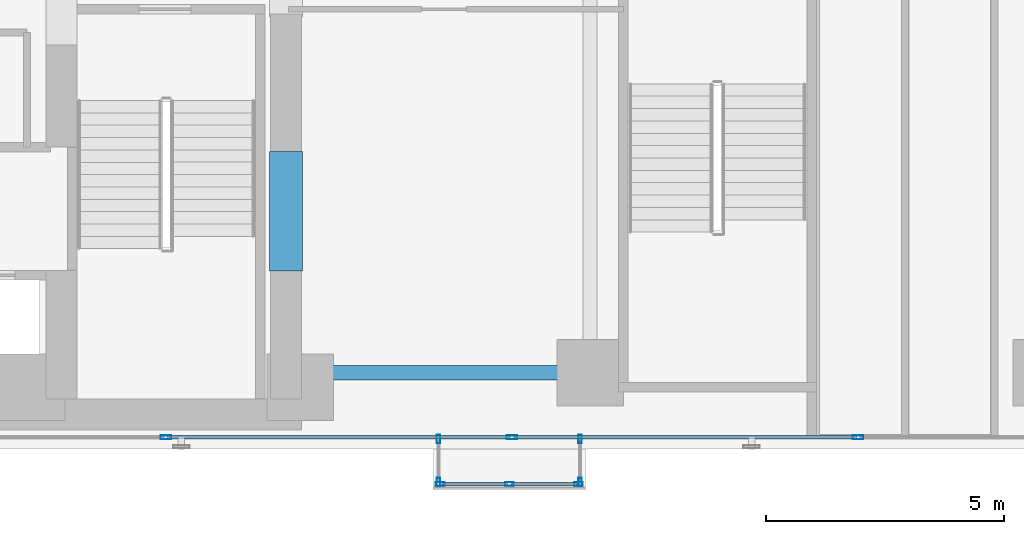
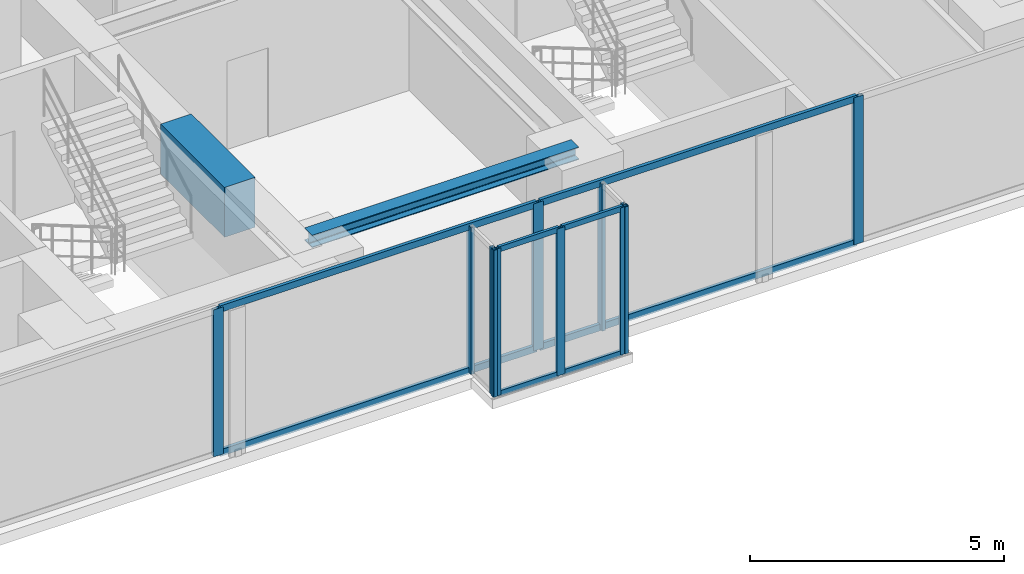
# One storey, part 4 of 26: 18 members, 2 beams, 4 elements without a shape of their own.
"""IFC4 building model written with IfcOpenShell, lengths in metres."""

from ifc_helpers import new_model, si_unit, direction, frame, origin, origin_with_axes, origin_2d, place, context, subcontext, project, spatial, rectangle, hollow_rectangle, i_section, extrude, source, transform, mapped, material, layer, layer_set, material_profile, profile_set, type_object, element, aggregate, save


model = new_model("IFC4")

# Units and contexts
model_context = context("Model", 3, precision=1e-05, world=origin(), true_north=direction((0.0, 1.0)))
body_context = subcontext(model_context, "Body", "Model", "MODEL_VIEW")
ifc_project = project(units=[si_unit("LENGTHUNIT", "METRE"), si_unit("AREAUNIT", "SQUARE_METRE"), si_unit("VOLUMEUNIT", "CUBIC_METRE"), si_unit("PLANEANGLEUNIT", "RADIAN"), si_unit("MASSUNIT", "GRAM", prefix="KILO")], contexts=[model_context])

# Site, building, storey
site_placement = place(None, origin())
site = spatial("IfcSite", under=ifc_project, at=site_placement, CompositionType="ELEMENT")
building_placement = place(site_placement, origin())
building = spatial("IfcBuilding", under=site, at=building_placement, Name="Kolvaren Waterfront Exchange", CompositionType="ELEMENT")
storey_placement = place(building_placement, frame((0.0, 0.0, 122.10009765625)))
storey = spatial("IfcBuildingStorey", under=building, at=storey_placement, Name="L31", CompositionType="ELEMENT", Elevation=122.10009765625)

# Beams
ifc_material_1 = material(Name="Steel S355", Category="steel")
ifc_material_profile_1 = material_profile(ifc_material_1, i_section(OverallWidth=0.300048828125, OverallDepth=0.300048828125, WebThickness=0.010986328125, FlangeThickness=0.01904296875, FilletRadius=0.027099609375, at=origin_2d()), Name="HEB300")
ifc_profile_set_1 = profile_set([ifc_material_profile_1], Name="Steel S355")
beam_type_1 = type_object("IfcBeamType", Name="STR-BM-HEB300", PredefinedType="SPANDREL", material=ifc_profile_set_1)
beam_1_placement = place(storey_placement, frame((21.125, 5.199951171875, 3.389892578125), z_axis=(1.0, 0.0, 0.0), x_axis=(0.0, 1.0, 0.0)))
element("IfcBeam", 1, at=beam_1_placement, inside=storey, type_object=beam_type_1, Name="L31 east-arm spandrel S1", PredefinedType="SPANDREL", context=body_context, shape_type="SweptSolid", body=[
    extrude(i_section(OverallWidth=0.300048828125, OverallDepth=0.300048828125, WebThickness=0.010986328125, FlangeThickness=0.01904296875, FilletRadius=0.027099609375, at=origin_2d()), origin(), (0.0, 0.0, 1.0), 6.074951171875),
])
ifc_material_2 = material(Name="Concrete C70/85", Category="concrete")
ifc_material_profile_2 = material_profile(ifc_material_2, rectangle(XDim=0.699951171875, YDim=1.199951171875, at=origin_2d()), Name="RC-CB-1200x700")
ifc_profile_set_2 = profile_set([ifc_material_profile_2], Name="Concrete C70/85")
beam_type_2 = type_object("IfcBeamType", Name="STR-CB-1200", PredefinedType="SPANDREL", material=ifc_profile_set_2)
beam_2_placement = place(storey_placement, frame((20.800048828125, 7.340087890625, 2.93994140625), z_axis=(0.0, 1.0, 0.0), x_axis=(-1.0, 0.0, 0.0)))
element("IfcBeam", 2, at=beam_2_placement, inside=storey, type_object=beam_type_2, Name="L31 core coupling beam 1", PredefinedType="SPANDREL", context=body_context, shape_type="SweptSolid", body=[
    extrude(rectangle(XDim=0.699951171875, YDim=1.199951171875, at=origin_2d()), origin(), (0.0, 0.0, 1.0), 2.52001953125),
])

# Curtain wall, members
ifc_material_3 = material(Name="Anodised bronze aluminium 6063-T6", Category="aluminium")
ifc_layer_1 = layer(ifc_material_3, 0.219970703125, Name="Anodised bronze aluminium 6063-T6")
ifc_layer_set_1 = layer_set([ifc_layer_1], Name="Anodised bronze aluminium 6063-T6")
curtain_wall_type_1 = type_object("IfcCurtainWallType", Name="ARC-CW-SYS1", PredefinedType="USERDEFINED", material=ifc_layer_set_1)
curtain_wall_1_placement = place(storey_placement, origin())
curtain_wall_1 = element("IfcCurtainWall", 3, at=curtain_wall_1_placement, inside=storey, type_object=curtain_wall_type_1, Name="L31 stick curtain wall CW1 (CW-L31-S)", ObjectType="STICK CURTAIN WALL", PredefinedType="USERDEFINED")
ifc_material_4 = material(Name="Anodised aluminium 6063-T6", Category="aluminium")
ifc_material_profile_3 = material_profile(ifc_material_4, hollow_rectangle(XDim=0.080078125, YDim=0.219970703125, WallThickness=0.0048828125, at=origin_2d()), Name="ALU-MUL-220x80x5")
ifc_profile_set_3 = profile_set([ifc_material_profile_3], Name="Anodised aluminium 6063-T6")
member_type_1 = type_object("IfcMemberType", Name="ARC-CWM-220", PredefinedType="MULLION", material=ifc_profile_set_3)
shared_shape_1 = source(origin_with_axes(), body_context, "Body", "SweptSolid", [
    extrude(hollow_rectangle(XDim=0.080078125, YDim=0.219970703125, WallThickness=0.0048828125, at=origin_2d()), origin(), (0.0, 0.0, 1.0), 3.539794921875),
])
member_1_placement = place(storey_placement, frame((18.271484375, 3.840087890625, 0.0), z_axis=(0.0, 0.0, 1.0), x_axis=(0.0, 1.0, 0.0)))
member_1 = element("IfcMember", 4, at=member_1_placement, type_object=member_type_1, Name="CW1 mullion 3", PredefinedType="MULLION", context=body_context, shape_type="MappedRepresentation", body=[
    mapped(shared_shape_1, transform((0.0, 0.0, 0.0), x_axis=(1.0, 0.0, 0.0), y_axis=(0.0, 1.0, 0.0), z_axis=(0.0, 0.0, 1.0), scale=1.0)),
])
member_2_placement = place(storey_placement, frame((25.55712890625, 3.840087890625, 0.0), z_axis=(0.0, 0.0, 1.0), x_axis=(0.0, 1.0, 0.0)))
member_2 = element("IfcMember", 5, at=member_2_placement, type_object=member_type_1, Name="CW1 mullion 4", PredefinedType="MULLION", context=body_context, shape_type="MappedRepresentation", body=[
    mapped(shared_shape_1, transform((0.0, 0.0, 0.0), x_axis=(1.0, 0.0, 0.0), y_axis=(0.0, 1.0, 0.0), z_axis=(0.0, 0.0, 1.0), scale=1.0)),
])
member_3_placement = place(storey_placement, frame((32.8427734375, 3.840087890625, 0.0), z_axis=(0.0, 0.0, 1.0), x_axis=(0.0, 1.0, 0.0)))
member_3 = element("IfcMember", 6, at=member_3_placement, type_object=member_type_1, Name="CW1 mullion 5", PredefinedType="MULLION", context=body_context, shape_type="MappedRepresentation", body=[
    mapped(shared_shape_1, transform((0.0, 0.0, 0.0), x_axis=(1.0, 0.0, 0.0), y_axis=(0.0, 1.0, 0.0), z_axis=(0.0, 0.0, 1.0), scale=1.0)),
])

ifc_layer_2 = layer(ifc_material_3, 0.219970703125, Name="Anodised bronze aluminium 6063-T6")
ifc_layer_set_2 = layer_set([ifc_layer_2], Name="Anodised bronze aluminium 6063-T6")
curtain_wall_type_2 = type_object("IfcCurtainWallType", Name="ARC-CW-SYS3", PredefinedType="USERDEFINED", material=ifc_layer_set_2)
curtain_wall_2_placement = place(storey_placement, origin())
curtain_wall_2 = element("IfcCurtainWall", 7, at=curtain_wall_2_placement, inside=storey, type_object=curtain_wall_type_2, Name="L31 stick curtain wall CW3 (CW-L31-BOX)", ObjectType="STICK CURTAIN WALL", PredefinedType="USERDEFINED")
ifc_material_profile_4 = material_profile(ifc_material_3, hollow_rectangle(XDim=0.06494140625, YDim=0.1298828125, WallThickness=0.00390625, at=origin_2d()), Name="ALU-TRN-130x65x4")
ifc_profile_set_4 = profile_set([ifc_material_profile_4], Name="Anodised bronze aluminium 6063-T6")
member_type_2 = type_object("IfcMemberType", Name="ARC-CWT-130", PredefinedType="USERDEFINED", material=ifc_profile_set_4)
shared_shape_2 = source(origin_with_axes(), body_context, "Body", "SweptSolid", [
    extrude(hollow_rectangle(XDim=0.06494140625, YDim=0.1298828125, WallThickness=0.00390625, at=origin_2d()), origin(), (0.0, 0.0, 1.0), 1.37744140625),
])
member_4_placement = place(storey_placement, frame((24.0849609375, 2.860107421875, 0.032470703125), z_axis=(1.0, 0.0, 0.0), x_axis=(0.0, 1.0, 0.0)))
member_4 = element("IfcMember", 8, at=member_4_placement, type_object=member_type_2, Name="CW3 transom 1.1", ObjectType="TRANSOM", PredefinedType="USERDEFINED", context=body_context, shape_type="MappedRepresentation", body=[
    mapped(shared_shape_2, transform((0.0, 0.0, 0.0), x_axis=(1.0, 0.0, 0.0), y_axis=(0.0, 1.0, 0.0), z_axis=(0.0, 0.0, 1.0), scale=1.0)),
])
member_5_placement = place(storey_placement, frame((24.0849609375, 2.860107421875, 3.50732421875), z_axis=(1.0, 0.0, 0.0), x_axis=(0.0, 1.0, 0.0)))
member_5 = element("IfcMember", 9, at=member_5_placement, type_object=member_type_2, Name="CW3 transom 1.2", ObjectType="TRANSOM", PredefinedType="USERDEFINED", context=body_context, shape_type="MappedRepresentation", body=[
    mapped(shared_shape_2, transform((0.0, 0.0, 0.0), x_axis=(1.0, 0.0, 0.0), y_axis=(0.0, 1.0, 0.0), z_axis=(0.0, 0.0, 1.0), scale=1.0)),
])
member_6_placement = place(storey_placement, frame((25.53759765625, 2.860107421875, 0.032470703125), z_axis=(1.0, 0.0, 0.0), x_axis=(0.0, 1.0, 0.0)))
member_6 = element("IfcMember", 10, at=member_6_placement, type_object=member_type_2, Name="CW3 transom 2.1", ObjectType="TRANSOM", PredefinedType="USERDEFINED", context=body_context, shape_type="MappedRepresentation", body=[
    mapped(shared_shape_2, transform((0.0, 0.0, 0.0), x_axis=(1.0, 0.0, 0.0), y_axis=(0.0, 1.0, 0.0), z_axis=(0.0, 0.0, 1.0), scale=1.0)),
])
member_7_placement = place(storey_placement, frame((25.53759765625, 2.860107421875, 3.50732421875), z_axis=(1.0, 0.0, 0.0), x_axis=(0.0, 1.0, 0.0)))
member_7 = element("IfcMember", 11, at=member_7_placement, type_object=member_type_2, Name="CW3 transom 2.2", ObjectType="TRANSOM", PredefinedType="USERDEFINED", context=body_context, shape_type="MappedRepresentation", body=[
    mapped(shared_shape_2, transform((0.0, 0.0, 0.0), x_axis=(1.0, 0.0, 0.0), y_axis=(0.0, 1.0, 0.0), z_axis=(0.0, 0.0, 1.0), scale=1.0)),
])

curtain_wall_3_placement = place(storey_placement, origin())
curtain_wall_3 = element("IfcCurtainWall", 12, at=curtain_wall_3_placement, inside=storey, type_object=curtain_wall_type_2, Name="L31 stick curtain wall CW3 (CW-L31-BOX-W)", ObjectType="STICK CURTAIN WALL", PredefinedType="USERDEFINED")
ifc_material_profile_5 = material_profile(ifc_material_3, hollow_rectangle(XDim=0.074951171875, YDim=0.179931640625, WallThickness=0.00439453125, at=origin_2d()), Name="ALU-MUL-180x75x4.5")
ifc_profile_set_5 = profile_set([ifc_material_profile_5], Name="Anodised bronze aluminium 6063-T6")
member_type_3 = type_object("IfcMemberType", Name="ARC-CWM-180", PredefinedType="MULLION", material=ifc_profile_set_5)
shared_shape_3 = source(origin_with_axes(), body_context, "Body", "SweptSolid", [
    extrude(hollow_rectangle(XDim=0.074951171875, YDim=0.179931640625, WallThickness=0.00439453125, at=origin_2d()), origin(), (0.0, 0.0, 1.0), 3.539794921875),
])
member_8_placement = place(storey_placement, frame((24.010009765625, 3.802490234375, 0.0), z_axis=(0.0, 0.0, 1.0), x_axis=(1.0, 0.0, 0.0)))
member_8 = element("IfcMember", 13, at=member_8_placement, type_object=member_type_3, Name="CW3 mullion 1", PredefinedType="MULLION", context=body_context, shape_type="MappedRepresentation", body=[
    mapped(shared_shape_3, transform((0.0, 0.0, 0.0), x_axis=(1.0, 0.0, 0.0), y_axis=(0.0, 1.0, 0.0), z_axis=(0.0, 0.0, 1.0), scale=1.0)),
])
member_9_placement = place(storey_placement, frame((24.010009765625, 2.8974609375, 0.0), z_axis=(0.0, 0.0, 1.0), x_axis=(1.0, 0.0, 0.0)))
member_9 = element("IfcMember", 14, at=member_9_placement, type_object=member_type_3, Name="CW3 mullion 2", PredefinedType="MULLION", context=body_context, shape_type="MappedRepresentation", body=[
    mapped(shared_shape_3, transform((0.0, 0.0, 0.0), x_axis=(1.0, 0.0, 0.0), y_axis=(0.0, 1.0, 0.0), z_axis=(0.0, 0.0, 1.0), scale=1.0)),
])
aggregate(curtain_wall_3, [member_8, member_9])

# Member
member_10_placement = place(storey_placement, frame((24.047607421875, 2.860107421875, 0.0), z_axis=(0.0, 0.0, 1.0), x_axis=(0.0, 1.0, 0.0)))
member_10 = element("IfcMember", 15, at=member_10_placement, type_object=member_type_3, Name="CW3 mullion 1", PredefinedType="MULLION", context=body_context, shape_type="MappedRepresentation", body=[
    mapped(shared_shape_3, transform((0.0, 0.0, 0.0), x_axis=(1.0, 0.0, 0.0), y_axis=(0.0, 1.0, 0.0), z_axis=(0.0, 0.0, 1.0), scale=1.0)),
])

member_11_placement = place(storey_placement, frame((25.5, 2.860107421875, 0.0), z_axis=(0.0, 0.0, 1.0), x_axis=(0.0, 1.0, 0.0)))
member_11 = element("IfcMember", 16, at=member_11_placement, type_object=member_type_3, Name="CW3 mullion 2", PredefinedType="MULLION", context=body_context, shape_type="MappedRepresentation", body=[
    mapped(shared_shape_3, transform((0.0, 0.0, 0.0), x_axis=(1.0, 0.0, 0.0), y_axis=(0.0, 1.0, 0.0), z_axis=(0.0, 0.0, 1.0), scale=1.0)),
])

member_12_placement = place(storey_placement, frame((26.952392578125, 2.860107421875, 0.0), z_axis=(0.0, 0.0, 1.0), x_axis=(0.0, 1.0, 0.0)))
member_12 = element("IfcMember", 17, at=member_12_placement, type_object=member_type_3, Name="CW3 mullion 3", PredefinedType="MULLION", context=body_context, shape_type="MappedRepresentation", body=[
    mapped(shared_shape_3, transform((0.0, 0.0, 0.0), x_axis=(1.0, 0.0, 0.0), y_axis=(0.0, 1.0, 0.0), z_axis=(0.0, 0.0, 1.0), scale=1.0)),
])

aggregate(curtain_wall_2, [member_10, member_11, member_12, member_4, member_5, member_6, member_7])

# Curtain wall, members
curtain_wall_4_placement = place(storey_placement, origin())
curtain_wall_4 = element("IfcCurtainWall", 18, at=curtain_wall_4_placement, inside=storey, type_object=curtain_wall_type_2, Name="L31 stick curtain wall CW3 (CW-L31-BOX-E)", ObjectType="STICK CURTAIN WALL", PredefinedType="USERDEFINED")
member_13_placement = place(storey_placement, frame((26.989990234375, 2.8974609375, 0.0), z_axis=(0.0, 0.0, 1.0), x_axis=(-1.0, 0.0, 0.0)))
member_13 = element("IfcMember", 19, at=member_13_placement, type_object=member_type_3, Name="CW3 mullion 1", PredefinedType="MULLION", context=body_context, shape_type="MappedRepresentation", body=[
    mapped(shared_shape_3, transform((0.0, 0.0, 0.0), x_axis=(1.0, 0.0, 0.0), y_axis=(0.0, 1.0, 0.0), z_axis=(0.0, 0.0, 1.0), scale=1.0)),
])
member_14_placement = place(storey_placement, frame((26.989990234375, 3.802490234375, 0.0), z_axis=(0.0, 0.0, 1.0), x_axis=(-1.0, 0.0, 0.0)))
member_14 = element("IfcMember", 20, at=member_14_placement, type_object=member_type_3, Name="CW3 mullion 2", PredefinedType="MULLION", context=body_context, shape_type="MappedRepresentation", body=[
    mapped(shared_shape_3, transform((0.0, 0.0, 0.0), x_axis=(1.0, 0.0, 0.0), y_axis=(0.0, 1.0, 0.0), z_axis=(0.0, 0.0, 1.0), scale=1.0)),
])
aggregate(curtain_wall_4, [member_13, member_14])

# Member
ifc_material_profile_6 = material_profile(ifc_material_4, hollow_rectangle(XDim=0.074951171875, YDim=0.159912109375, WallThickness=0.00439453125, at=origin_2d()), Name="ALU-TRN-160x75x4.5")
ifc_profile_set_6 = profile_set([ifc_material_profile_6], Name="Anodised aluminium 6063-T6")
member_type_4 = type_object("IfcMemberType", Name="ARC-CWT-160", PredefinedType="USERDEFINED", material=ifc_profile_set_6)
shared_shape_4 = source(origin_with_axes(), body_context, "Body", "SweptSolid", [
    extrude(hollow_rectangle(XDim=0.074951171875, YDim=0.159912109375, WallThickness=0.00439453125, at=origin_2d()), origin(), (0.0, 0.0, 1.0), 7.205810546875),
])
member_15_placement = place(storey_placement, frame((25.59716796875, 3.840087890625, 0.037353515625), z_axis=(1.0, 0.0, 0.0), x_axis=(0.0, 1.0, 0.0)))
member_15 = element("IfcMember", 21, at=member_15_placement, type_object=member_type_4, Name="CW1 transom 4.1", ObjectType="TRANSOM", PredefinedType="USERDEFINED", context=body_context, shape_type="MappedRepresentation", body=[
    mapped(shared_shape_4, transform((0.0, 0.0, 0.0), x_axis=(1.0, 0.0, 0.0), y_axis=(0.0, 1.0, 0.0), z_axis=(0.0, 0.0, 1.0), scale=1.0)),
])

member_16_placement = place(storey_placement, frame((25.59716796875, 3.840087890625, 3.50244140625), z_axis=(1.0, 0.0, 0.0), x_axis=(0.0, 1.0, 0.0)))
member_16 = element("IfcMember", 22, at=member_16_placement, type_object=member_type_4, Name="CW1 transom 4.2", ObjectType="TRANSOM", PredefinedType="USERDEFINED", context=body_context, shape_type="MappedRepresentation", body=[
    mapped(shared_shape_4, transform((0.0, 0.0, 0.0), x_axis=(1.0, 0.0, 0.0), y_axis=(0.0, 1.0, 0.0), z_axis=(0.0, 0.0, 1.0), scale=1.0)),
])

shared_shape_5 = source(origin_with_axes(), body_context, "Body", "SweptSolid", [
    extrude(hollow_rectangle(XDim=0.074951171875, YDim=0.159912109375, WallThickness=0.00439453125, at=origin_2d()), origin(), (0.0, 0.0, 1.0), 7.20556640625),
])
member_17_placement = place(storey_placement, frame((18.3115234375, 3.840087890625, 0.037353515625), z_axis=(1.0, 0.0, 0.0), x_axis=(0.0, 1.0, 0.0)))
member_17 = element("IfcMember", 23, at=member_17_placement, type_object=member_type_4, Name="CW1 transom 3.1", ObjectType="TRANSOM", PredefinedType="USERDEFINED", context=body_context, shape_type="MappedRepresentation", body=[
    mapped(shared_shape_5, transform((0.0, 0.0, 0.0), x_axis=(1.0, 0.0, 0.0), y_axis=(0.0, 1.0, 0.0), z_axis=(0.0, 0.0, 1.0), scale=1.0)),
])

member_18_placement = place(storey_placement, frame((18.3115234375, 3.840087890625, 3.50244140625), z_axis=(1.0, 0.0, 0.0), x_axis=(0.0, 1.0, 0.0)))
member_18 = element("IfcMember", 24, at=member_18_placement, type_object=member_type_4, Name="CW1 transom 3.2", ObjectType="TRANSOM", PredefinedType="USERDEFINED", context=body_context, shape_type="MappedRepresentation", body=[
    mapped(shared_shape_5, transform((0.0, 0.0, 0.0), x_axis=(1.0, 0.0, 0.0), y_axis=(0.0, 1.0, 0.0), z_axis=(0.0, 0.0, 1.0), scale=1.0)),
])

aggregate(curtain_wall_1, [member_1, member_2, member_3, member_17, member_18, member_15, member_16])

save(model, "model.ifc")
